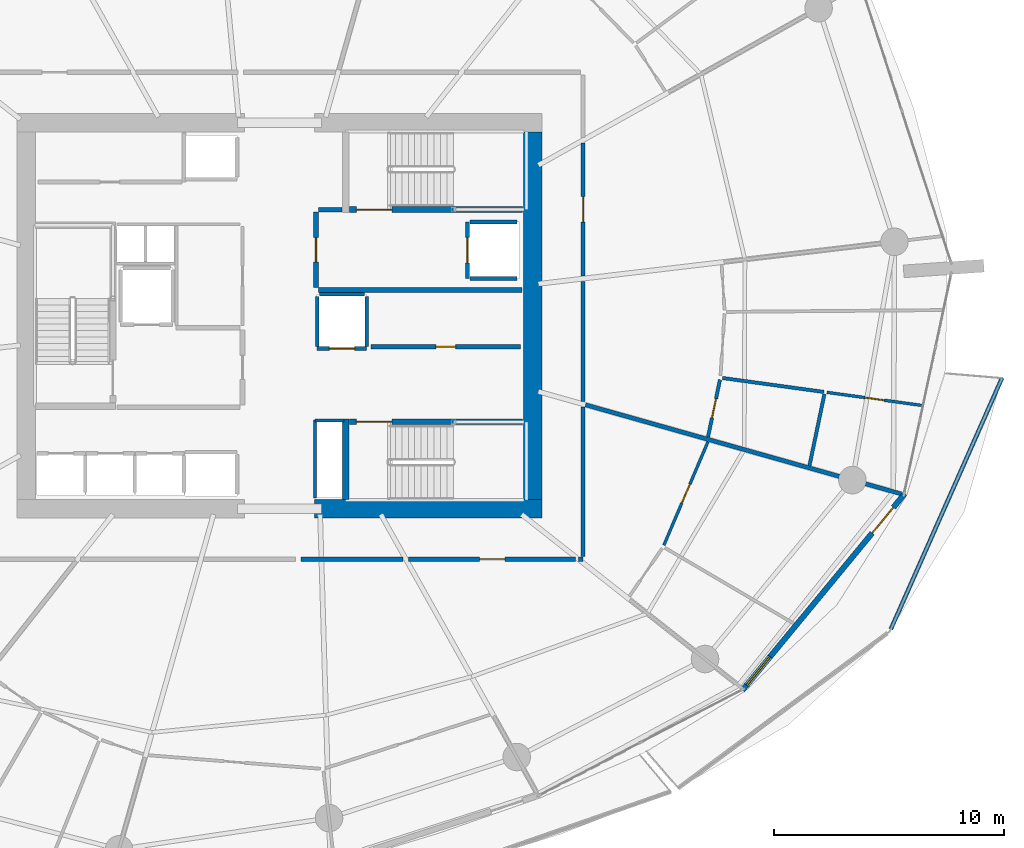
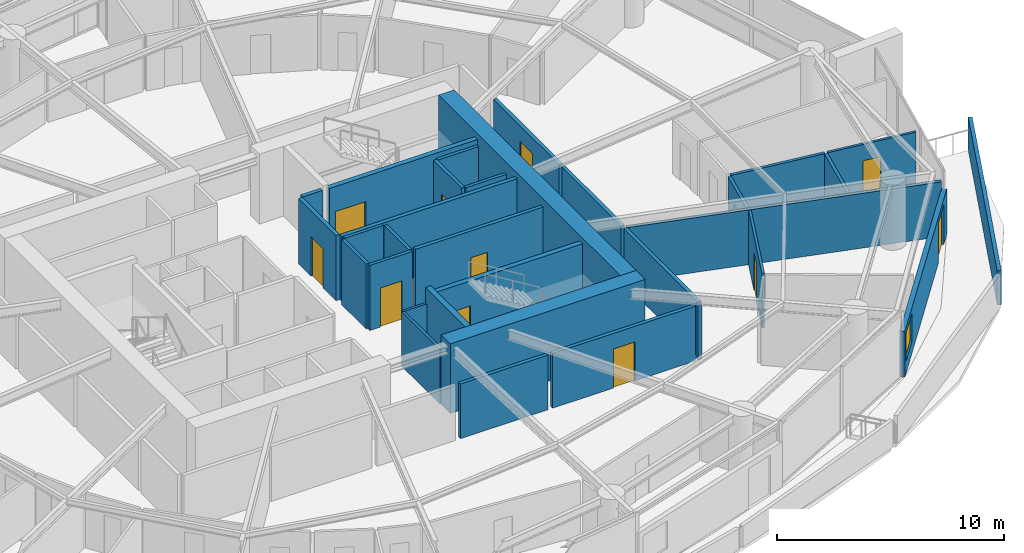
# One storey, part 13 of 22: 32 walls, 12 doors, 1 window, 13 openings.
"""IFC4 building model written with IfcOpenShell, lengths in metres."""

from ifc_helpers import new_model, si_unit, direction, frame, frame_2d, origin, place, context, subcontext, project, spatial, polyline, rectangle, outline, extrude, material, layer, layer_set, type_object, element, fill, save


model = new_model("IFC4")

# Units and contexts
model_context = context("Model", 3, precision=1e-05, world=origin(), true_north=direction((0.0, 1.0)))
body_context = subcontext(model_context, "Body", "Model", "MODEL_VIEW")
ifc_project = project(units=[si_unit("LENGTHUNIT", "METRE"), si_unit("AREAUNIT", "SQUARE_METRE"), si_unit("VOLUMEUNIT", "CUBIC_METRE"), si_unit("PLANEANGLEUNIT", "RADIAN"), si_unit("MASSUNIT", "GRAM", prefix="KILO")], contexts=[model_context])

# Site, building, storey
site_placement = place(None, origin())
site = spatial("IfcSite", under=ifc_project, at=site_placement, CompositionType="ELEMENT")
building_placement = place(site_placement, origin())
building = spatial("IfcBuilding", under=site, at=building_placement, Name="Kazma Halo Residences", CompositionType="ELEMENT")
storey_placement = place(building_placement, frame((0.0, 0.0, 90.14990234375)))
storey = spatial("IfcBuildingStorey", under=building, at=storey_placement, Name="L22", CompositionType="ELEMENT", Elevation=90.14990234375)

# Walls
ifc_material_1 = material(Name="White Concrete C50/60 Balustrade", Category="concrete")
ifc_layer_1 = layer(ifc_material_1, 0.179931640625)
ifc_layer_set_1 = layer_set([ifc_layer_1], Name="White Concrete C50/60 Balustrade")
wall_type_1 = type_object("IfcWallType", Name="WL-BAL-WAVE-180", PredefinedType="PARAPET", material=ifc_layer_set_1)
wall_1_placement = place(storey_placement, frame((75.048828125, 28.352294921875, 0.0), z_axis=(0.0, 0.0, 1.0), x_axis=(0.404780674035, 0.914413804537, 0.0)))
element("IfcWall", 1, at=wall_1_placement, inside=storey, type_object=wall_type_1, Name="L22 white wave balustrade wall SE.2", PredefinedType="PARAPET", context=body_context, shape_type="SweptSolid", body=[
    extrude(outline(polyline([(0.0, 0.0), (11.9658203125, 0.0), (11.9658203125, 1.756103515625), (5.98291015625, 1.85302734375), (0.0, 1.83203125), (0.0, 0.0)])), frame((0.0, 0.08984375, 0.0), z_axis=(0.0, -1.0, 0.0), x_axis=(1.0, 0.0, 0.0)), (0.0, 0.0, 1.0), 0.179931640625),
])
ifc_material_2 = material(Name="Concrete C80/95", Category="concrete")
ifc_layer_2 = layer(ifc_material_2, 0.800048828125)
ifc_layer_set_2 = layer_set([ifc_layer_2], Name="Concrete C80/95")
wall_type_2 = type_object("IfcWallType", Name="WL-CORE-800", PredefinedType="SHEAR", material=ifc_layer_set_2)
wall_2_placement = place(storey_placement, frame((49.949951171875, 33.60009765625, 0.0), z_axis=(0.0, 0.0, 1.0), x_axis=(1.0, 0.0, 0.0)))
element("IfcWall", 2, at=wall_2_placement, inside=storey, type_object=wall_type_2, Name="L22 central core shear wall SE", PredefinedType="SHEAR", context=body_context, shape_type="SweptSolid", body=[
    extrude(rectangle(XDim=9.900146484375, YDim=0.800048828125, at=frame_2d((4.9501953125, 0.0))), origin(), (0.0, 0.0, 1.0), 3.75),
])
wall_3_placement = place(storey_placement, frame((59.449951171875, 34.0, 0.0), z_axis=(0.0, 0.0, 1.0), x_axis=(0.0, 1.0, 0.0)))
element("IfcWall", 3, at=wall_3_placement, inside=storey, type_object=wall_type_2, Name="L22 central core shear wall E", PredefinedType="SHEAR", context=body_context, shape_type="SweptSolid", body=[
    extrude(rectangle(XDim=16.0, YDim=0.800048828125, at=frame_2d((8.0, 0.0))), origin(), (0.0, 0.0, 1.0), 3.75),
])
ifc_material_3 = material(Name="Concrete C60/75", Category="concrete")
ifc_layer_3 = layer(ifc_material_3, 0.280029296875)
ifc_layer_set_3 = layer_set([ifc_layer_3], Name="Concrete C60/75")
wall_type_3 = type_object("IfcWallType", Name="WL-CORE-ST-280", PredefinedType="SHEAR", material=ifc_layer_set_3)
wall_4_placement = place(storey_placement, frame((51.31005859375, 34.0, 0.0), z_axis=(0.0, 0.0, 1.0), x_axis=(0.0, 1.0, 0.0)))
element("IfcWall", 4, at=wall_4_placement, inside=storey, type_object=wall_type_3, Name="L22 stairwell bearing wall ST03-W", PredefinedType="SHEAR", context=body_context, shape_type="SweptSolid", body=[
    extrude(rectangle(XDim=3.5, YDim=0.280029296875, at=frame_2d((1.75, 0.0))), origin(), (0.0, 0.0, 1.0), 3.75),
])
ifc_material_4 = material(Name="Acoustic Twin-Stud Gypsum")
ifc_layer_4 = layer(ifc_material_4, 0.179931640625)
ifc_layer_set_4 = layer_set([ifc_layer_4], Name="Acoustic Twin-Stud Gypsum")
wall_type_4 = type_object("IfcWallType", Name="WL-DEM-180", PredefinedType="PARTITIONING", material=ifc_layer_set_4)
wall_5_placement = place(storey_placement, frame((61.755859375, 38.120361328125, 0.0), z_axis=(0.0, 0.0, 1.0), x_axis=(0.962455861176, -0.271438234756, 0.0)))
element("IfcWall", 5, at=wall_5_placement, inside=storey, type_object=wall_type_4, Name="L22 apartment demising radial wall 14", PredefinedType="PARTITIONING", context=body_context, shape_type="SweptSolid", body=[
    extrude(rectangle(XDim=14.278564453125, YDim=0.179931640625, at=frame_2d((7.13916015625, 0.0))), origin(), (0.0, 0.0, 1.0), 2.940185546875),
])

# Wall, opening, door
wall_6_placement = place(storey_placement, frame((54.056396484375, 31.39990234375, 0.0), z_axis=(0.0, 0.0, 1.0), x_axis=(1.0, 0.0, 0.0)))
wall_6 = element("IfcWall", 6, at=wall_6_placement, inside=storey, type_object=wall_type_4, Name="L22 Apartment 2 entrance corridor wall", PredefinedType="PARTITIONING", context=body_context, shape_type="SweptSolid", body=[
    extrude(rectangle(XDim=7.26953125, YDim=0.179931640625, at=frame_2d((3.634765625, 0.0))), origin(), (0.0, 0.0, 1.0), 2.940185546875),
])
opening_1_placement = place(wall_6_placement, frame((3.0849609375, 0.0, 0.0)))
opening_1 = element("IfcOpeningElement", 7, at=opening_1_placement, cuts=wall_6, Name="Opening DA-1100", PredefinedType="OPENING", context=body_context, shape_type="SweptSolid", body=[
    extrude(rectangle(XDim=1.10009765625, YDim=2.10009765625, at=frame_2d((0.550048828125, 1.050048828125))), frame((0.0, 0.099853515625, 0.0), z_axis=(0.0, -1.0, 0.0), x_axis=(1.0, 0.0, 0.0)), (0.0, 0.0, 1.0), 0.199951171875),
])
ifc_material_5 = material(Name="Acoustic Walnut Fire Leaf")
door_type_1 = type_object("IfcDoorType", Name="DR-FD60-1100", OperationType="NOTDEFINED", PredefinedType="DOOR", material=ifc_material_5)
door_1_placement = place(opening_1_placement, origin())
door_1 = element("IfcDoor", 8, at=door_1_placement, inside=storey, type_object=door_type_1, Name="L22 Apartment 2 entrance fire door", OperationType="SINGLE_SWING_LEFT", OverallHeight=2.10009765625, OverallWidth=1.10009765625, PredefinedType="DOOR", context=body_context, shape_type="SweptSolid", body=[
    extrude(rectangle(XDim=1.10009765625, YDim=2.10009765625, at=frame_2d((0.550048828125, 1.050048828125))), frame((0.0, 0.02490234375, 0.0), z_axis=(0.0, -1.0, 0.0), x_axis=(1.0, 0.0, 0.0)), (0.0, 0.0, 1.0), 0.050048828125),
])
fill(opening_1, door_1)

# Walls
wall_7_placement = place(storey_placement, frame((49.37451171875, 31.39990234375, 0.0), z_axis=(0.0, 0.0, 1.0), x_axis=(1.0, 0.0, 0.0)))
element("IfcWall", 9, at=wall_7_placement, inside=storey, type_object=wall_type_4, Name="L22 Apartment 2 inner wall 11", PredefinedType="PARTITIONING", context=body_context, shape_type="SweptSolid", body=[
    extrude(rectangle(XDim=4.44189453125, YDim=0.179931640625, at=frame_2d((2.220947265625, 0.0))), origin(), (0.0, 0.0, 1.0), 2.940185546875),
])
wall_8_placement = place(storey_placement, frame((61.446044921875, 31.39990234375, 0.0), z_axis=(0.0, 0.0, 1.0), x_axis=(1.0, 0.0, 0.0)))
element("IfcWall", 10, at=wall_8_placement, inside=storey, type_object=wall_type_4, Name="L22 Apartment 2 inner wall 13", PredefinedType="PARTITIONING", context=body_context, shape_type="SweptSolid", body=[
    extrude(rectangle(XDim=0.203857421875, YDim=0.179931640625, at=frame_2d((0.10205078125, 0.0))), origin(), (0.0, 0.0, 1.0), 2.940185546875),
])
wall_9_placement = place(storey_placement, frame((61.64990234375, 31.52001953125, 0.0), z_axis=(0.0, 0.0, 1.0), x_axis=(0.0, 1.0, 0.0)))
element("IfcWall", 11, at=wall_9_placement, inside=storey, type_object=wall_type_4, Name="L22 Apartment 2 inner wall 13", PredefinedType="PARTITIONING", context=body_context, shape_type="SweptSolid", body=[
    extrude(rectangle(XDim=6.51025390625, YDim=0.179931640625, at=frame_2d((3.255126953125, 0.0))), origin(), (0.0, 0.0, 1.0), 2.940185546875),
])

# Wall, opening, door
wall_10_placement = place(storey_placement, frame((61.64990234375, 43.735595703125, 0.0), z_axis=(0.0, 0.0, 1.0), x_axis=(0.0, 1.0, 0.0)))
wall_10 = element("IfcWall", 12, at=wall_10_placement, inside=storey, type_object=wall_type_4, Name="L22 Apartment 3 entrance corridor wall", PredefinedType="PARTITIONING", context=body_context, shape_type="SweptSolid", body=[
    extrude(rectangle(XDim=5.788818359375, YDim=0.179931640625, at=frame_2d((2.89453125, 0.0))), origin(), (0.0, 0.0, 1.0), 2.940185546875),
])
opening_2_placement = place(wall_10_placement, frame((2.344482421875, 0.0, 0.0)))
opening_2 = element("IfcOpeningElement", 13, at=opening_2_placement, cuts=wall_10, Name="Opening DA-1100", PredefinedType="OPENING", context=body_context, shape_type="SweptSolid", body=[
    extrude(rectangle(XDim=1.10009765625, YDim=2.10009765625, at=frame_2d((0.550048828125, 1.050048828125))), frame((0.0, 0.099853515625, 0.0), z_axis=(0.0, -1.0, 0.0), x_axis=(1.0, 0.0, 0.0)), (0.0, 0.0, 1.0), 0.199951171875),
])
door_2_placement = place(opening_2_placement, origin())
door_2 = element("IfcDoor", 14, at=door_2_placement, inside=storey, type_object=door_type_1, Name="L22 Apartment 3 entrance fire door", OperationType="SINGLE_SWING_RIGHT", OverallHeight=2.10009765625, OverallWidth=1.10009765625, PredefinedType="DOOR", context=body_context, shape_type="SweptSolid", body=[
    extrude(rectangle(XDim=1.10009765625, YDim=2.10009765625, at=frame_2d((0.550048828125, 1.050048828125))), frame((0.0, 0.02490234375, 0.0), z_axis=(0.0, -1.0, 0.0), x_axis=(1.0, 0.0, 0.0)), (0.0, 0.0, 1.0), 0.050048828125),
])
fill(opening_2, door_2)

# Wall
wall_11_placement = place(storey_placement, frame((61.64990234375, 38.270263671875, 0.0), z_axis=(0.0, 0.0, 1.0), x_axis=(0.0, 1.0, 0.0)))
element("IfcWall", 15, at=wall_11_placement, inside=storey, type_object=wall_type_4, Name="L22 Apartment 3 inner wall 14", PredefinedType="PARTITIONING", context=body_context, shape_type="SweptSolid", body=[
    extrude(rectangle(XDim=5.225341796875, YDim=0.179931640625, at=frame_2d((2.61279296875, 0.0))), origin(), (0.0, 0.0, 1.0), 2.940185546875),
])

# Wall, openings, door, window
ifc_material_6 = material(Name="Insulated Pale-Metal Composite Wall")
ifc_layer_5 = layer(ifc_material_6, 0.239990234375)
ifc_layer_set_5 = layer_set([ifc_layer_5], Name="Insulated Pale-Metal Composite Wall")
wall_type_5 = type_object("IfcWallType", Name="WL-EXT-HOST-240", PredefinedType="SOLIDWALL", material=ifc_layer_set_5)
wall_12_placement = place(storey_placement, frame((68.593017578125, 25.7021484375, 0.0), z_axis=(0.0, 0.0, 1.0), x_axis=(0.636704975, 0.771107498868, 0.0)))
wall_12 = element("IfcWall", 16, at=wall_12_placement, inside=storey, type_object=wall_type_5, Name="L22 exterior terrace-access wall B14", PredefinedType="SOLIDWALL", context=body_context, shape_type="SweptSolid", body=[
    extrude(rectangle(XDim=11.084228515625, YDim=0.239990234375, at=frame_2d((5.5419921875, 0.0))), origin(), (0.0, 0.0, 1.0), 2.4501953125),
])
opening_3_placement = place(wall_12_placement, frame((8.8642578125, 0.0, 0.0)))
opening_3 = element("IfcOpeningElement", 17, at=opening_3_placement, cuts=wall_12, Name="Opening DTR-1600", PredefinedType="OPENING", context=body_context, shape_type="SweptSolid", body=[
    extrude(rectangle(XDim=1.449951171875, YDim=2.14990234375, at=frame_2d((0.72509765625, 1.074951171875))), frame((0.0, 0.1298828125, 0.0), z_axis=(0.0, -1.0, 0.0), x_axis=(1.0, 0.0, 0.0)), (0.0, 0.0, 1.0), 0.260009765625),
])
opening_4_placement = place(wall_12_placement, frame((0.280029296875, 0.0, 0.64990234375)))
opening_4 = element("IfcOpeningElement", 18, at=opening_4_placement, cuts=wall_12, Name="Opening W-1800", PredefinedType="OPENING", context=body_context, shape_type="SweptSolid", body=[
    extrude(rectangle(XDim=1.60009765625, YDim=1.5, at=frame_2d((0.800048828125, 0.75))), frame((0.0, 0.1298828125, 0.0), z_axis=(0.0, -1.0, 0.0), x_axis=(1.0, 0.0, 0.0)), (0.0, 0.0, 1.0), 0.260009765625),
])
ifc_material_7 = material(Name="Aluminium AW-6063 T6 Double-Glazed Terrace Door", Category="aluminium")
door_type_2 = type_object("IfcDoorType", Name="DR-EXT-TERR-1600", OperationType="NOTDEFINED", PredefinedType="DOOR", material=ifc_material_7)
door_3_placement = place(opening_3_placement, origin())
door_3 = element("IfcDoor", 19, at=door_3_placement, inside=storey, type_object=door_type_2, Name="L22 B14 balcony terrace door", OperationType="DOUBLE_DOOR_SLIDING", OverallHeight=2.14990234375, OverallWidth=1.449951171875, PredefinedType="DOOR", context=body_context, shape_type="SweptSolid", body=[
    extrude(rectangle(XDim=1.449951171875, YDim=2.14990234375, at=frame_2d((0.72509765625, 1.074951171875))), frame((0.0, 0.02490234375, 0.0), z_axis=(0.0, -1.0, 0.0), x_axis=(1.0, 0.0, 0.0)), (0.0, 0.0, 1.0), 0.050048828125),
])
fill(opening_3, door_3)
ifc_material_8 = material(Name="Clear Triple-Silver Low-E Glass in Aluminium AW-6063 T6 Frame", Category="aluminium")
window_type = type_object("IfcWindowType", Name="WIN-RES-1800", PartitioningType="DOUBLE_PANEL_VERTICAL", PredefinedType="WINDOW", material=ifc_material_8)
window_placement = place(opening_4_placement, origin())
window = element("IfcWindow", 20, at=window_placement, inside=storey, type_object=window_type, Name="L22 B14 apartment window", OverallHeight=1.5, OverallWidth=1.60009765625, PartitioningType="SINGLE_PANEL", PredefinedType="WINDOW", context=body_context, shape_type="SweptSolid", body=[
    extrude(rectangle(XDim=1.60009765625, YDim=1.5, at=frame_2d((0.800048828125, 0.75))), frame((0.0, 0.030029296875, 0.0), z_axis=(0.0, -1.0, 0.0), x_axis=(1.0, 0.0, 0.0)), (0.0, 0.0, 1.0), 0.06005859375),
])
fill(opening_4, window)

# Wall, opening, door
ifc_material_9 = material(Name="Fire-Rated Blockwork Masonry", Category="masonry")
ifc_layer_6 = layer(ifc_material_9, 0.199951171875)
ifc_layer_set_6 = layer_set([ifc_layer_6], Name="Fire-Rated Blockwork Masonry")
wall_type_6 = type_object("IfcWallType", Name="WL-FLB-200", PredefinedType="PARTITIONING", material=ifc_layer_set_6)
wall_13_placement = place(storey_placement, frame((56.6201171875, 46.080078125, 0.0), z_axis=(0.0, 0.0, 1.0), x_axis=(0.0, -1.0, 0.0)))
wall_13 = element("IfcWall", 21, at=wall_13_placement, inside=storey, type_object=wall_type_6, Name="L22 lift shaft FL-02 front wall", PredefinedType="PARTITIONING", context=body_context, shape_type="SweptSolid", body=[
    extrude(rectangle(XDim=2.4599609375, YDim=0.159912109375, at=frame_2d((1.22998046875, 0.0))), origin(), (0.0, 0.0, 1.0), 3.5),
])
opening_5_placement = place(wall_13_placement, frame((0.679931640625, 0.0, 0.0)))
opening_5 = element("IfcOpeningElement", 22, at=opening_5_placement, cuts=wall_13, Name="Opening LD-FL-02", PredefinedType="OPENING", context=body_context, shape_type="SweptSolid", body=[
    extrude(rectangle(XDim=1.10009765625, YDim=2.10009765625, at=frame_2d((0.550048828125, 1.050048828125))), frame((0.0, 0.08984375, 0.0), z_axis=(0.0, -1.0, 0.0), x_axis=(1.0, 0.0, 0.0)), (0.0, 0.0, 1.0), 0.179931640625),
])
ifc_material_10 = material(Name="Stainless Steel Fire-Rated", Category="steel")
door_type_3 = type_object("IfcDoorType", Name="DR-LIFT-SLD-1100", OperationType="DOUBLE_DOOR_SLIDING", PredefinedType="DOOR", material=ifc_material_10)
door_4_placement = place(opening_5_placement, origin())
door_4 = element("IfcDoor", 23, at=door_4_placement, inside=storey, type_object=door_type_3, Name="L22 lift FL-02 sliding landing door", OperationType="DOUBLE_DOOR_SLIDING", OverallHeight=2.10009765625, OverallWidth=1.10009765625, PredefinedType="DOOR", context=body_context, shape_type="SweptSolid", body=[
    extrude(rectangle(XDim=1.10009765625, YDim=2.10009765625, at=frame_2d((0.550048828125, 1.050048828125))), frame((0.0, 0.02490234375, 0.0), z_axis=(0.0, -1.0, 0.0), x_axis=(1.0, 0.0, 0.0)), (0.0, 0.0, 1.0), 0.050048828125),
])
fill(opening_5, door_4)

# Walls
for number, where, z_axis, x_axis, name in (
    (24, (56.719970703125, 46.080078125, 0.0), (0.0, 0.0, 1.0), (1.0, 0.0, 0.0), "L22 lift shaft FL-02 side wall N"),
    (25, (56.719970703125, 43.6201171875, 0.0), (0.0, 0.0, 1.0), (1.0, 0.0, 0.0), "L22 lift shaft FL-02 side wall S"),
):
    element("IfcWall", number, at=place(storey_placement, frame(where, z_axis=z_axis, x_axis=x_axis)), inside=storey, type_object=wall_type_6, Name=name, PredefinedType="PARTITIONING", context=body_context, shape_type="SweptSolid", body=[
        extrude(rectangle(XDim=2.06005859375, YDim=0.159912109375, at=frame_2d((1.030029296875, 0.0))), origin(), (0.0, 0.0, 1.0), 3.5),
    ])

# Wall, opening, door
wall_14_placement = place(storey_placement, frame((52.22998046875, 40.570068359375, 0.0), z_axis=(0.0, 0.0, 1.0), x_axis=(-1.0, 0.0, 0.0)))
wall_14 = element("IfcWall", 26, at=wall_14_placement, inside=storey, type_object=wall_type_6, Name="L22 lift shaft SV-01 front wall", PredefinedType="PARTITIONING", context=body_context, shape_type="SweptSolid", body=[
    extrude(rectangle(XDim=2.159912109375, YDim=0.159912109375, at=frame_2d((1.080078125, 0.0))), origin(), (0.0, 0.0, 1.0), 3.5),
])
opening_6_placement = place(wall_14_placement, frame((0.530029296875, 0.0, 0.0)))
opening_6 = element("IfcOpeningElement", 27, at=opening_6_placement, cuts=wall_14, Name="Opening LD-SV-01", PredefinedType="OPENING", context=body_context, shape_type="SweptSolid", body=[
    extrude(rectangle(XDim=1.10009765625, YDim=2.10009765625, at=frame_2d((0.550048828125, 1.050048828125))), frame((0.0, 0.08984375, 0.0), z_axis=(0.0, -1.0, 0.0), x_axis=(1.0, 0.0, 0.0)), (0.0, 0.0, 1.0), 0.179931640625),
])
door_5_placement = place(opening_6_placement, origin())
door_5 = element("IfcDoor", 28, at=door_5_placement, inside=storey, type_object=door_type_3, Name="L22 lift SV-01 sliding landing door", OperationType="DOUBLE_DOOR_SLIDING", OverallHeight=2.10009765625, OverallWidth=1.10009765625, PredefinedType="DOOR", context=body_context, shape_type="SweptSolid", body=[
    extrude(rectangle(XDim=1.10009765625, YDim=2.10009765625, at=frame_2d((0.550048828125, 1.050048828125))), frame((0.0, 0.02490234375, 0.0), z_axis=(0.0, -1.0, 0.0), x_axis=(1.0, 0.0, 0.0)), (0.0, 0.0, 1.0), 0.050048828125),
])
fill(opening_6, door_5)

# Walls
for number, where, z_axis, x_axis, name in (
    (29, (52.22998046875, 40.669921875, 0.0), (0.0, 0.0, 1.0), (0.0, 1.0, 0.0), "L22 lift shaft SV-01 side wall E"),
    (30, (50.070068359375, 40.669921875, 0.0), (0.0, 0.0, 1.0), (0.0, 1.0, 0.0), "L22 lift shaft SV-01 side wall W"),
):
    element("IfcWall", number, at=place(storey_placement, frame(where, z_axis=z_axis, x_axis=x_axis)), inside=storey, type_object=wall_type_6, Name=name, PredefinedType="PARTITIONING", context=body_context, shape_type="SweptSolid", body=[
        extrude(rectangle(XDim=2.16015625, YDim=0.159912109375, at=frame_2d((1.080078125, 0.0))), origin(), (0.0, 0.0, 1.0), 3.5),
    ])
wall_15_placement = place(storey_placement, frame((50.169921875, 42.929931640625, 0.0), z_axis=(0.0, 0.0, 1.0), x_axis=(1.0, 0.0, 0.0)))
element("IfcWall", 31, at=wall_15_placement, inside=storey, type_object=wall_type_6, Name="L22 lift shaft SV-01 side wall N", PredefinedType="PARTITIONING", context=body_context, shape_type="SweptSolid", body=[
    extrude(rectangle(XDim=1.9599609375, YDim=0.159912109375, at=frame_2d((0.97998046875, 0.0))), origin(), (0.0, 0.0, 1.0), 3.5),
])

# Wall, opening, door
wall_16_placement = place(storey_placement, frame((52.419921875, 40.64990234375, 0.0), z_axis=(0.0, 0.0, 1.0), x_axis=(1.0, 0.0, 0.0)))
wall_16 = element("IfcWall", 32, at=wall_16_placement, inside=storey, type_object=wall_type_6, Name="L22 core east reserve wall", PredefinedType="PARTITIONING", context=body_context, shape_type="SweptSolid", body=[
    extrude(rectangle(XDim=6.5, YDim=0.179931640625, at=frame_2d((3.25, 0.0))), origin(), (0.0, 0.0, 1.0), 3.5),
])
opening_7_placement = place(wall_16_placement, frame((2.824951171875, 0.0, 0.0)))
opening_7 = element("IfcOpeningElement", 33, at=opening_7_placement, cuts=wall_16, Name="Opening DS-850", PredefinedType="OPENING", context=body_context, shape_type="SweptSolid", body=[
    extrude(rectangle(XDim=0.85009765625, YDim=2.06005859375, at=frame_2d((0.425048828125, 1.030029296875))), frame((0.0, 0.099853515625, 0.0), z_axis=(0.0, -1.0, 0.0), x_axis=(1.0, 0.0, 0.0)), (0.0, 0.0, 1.0), 0.199951171875),
])
ifc_material_11 = material(Name="Painted Steel Access Leaf", Category="steel")
door_type_4 = type_object("IfcDoorType", Name="DR-SVC-850", OperationType="NOTDEFINED", PredefinedType="DOOR", material=ifc_material_11)
door_6_placement = place(opening_7_placement, origin())
door_6 = element("IfcDoor", 34, at=door_6_placement, inside=storey, type_object=door_type_4, Name="L22 core east reserve door", OperationType="SINGLE_SWING_LEFT", OverallHeight=2.06005859375, OverallWidth=0.85009765625, PredefinedType="DOOR", context=body_context, shape_type="SweptSolid", body=[
    extrude(rectangle(XDim=0.85009765625, YDim=2.06005859375, at=frame_2d((0.425048828125, 1.030029296875))), frame((0.0, 0.02490234375, 0.0), z_axis=(0.0, -1.0, 0.0), x_axis=(1.0, 0.0, 0.0)), (0.0, 0.0, 1.0), 0.050048828125),
])
fill(opening_7, door_6)

# Walls
wall_17_placement = place(storey_placement, frame((50.1201171875, 43.1201171875, 0.0), z_axis=(0.0, 0.0, 1.0), x_axis=(1.0, 0.0, 0.0)))
element("IfcWall", 35, at=wall_17_placement, inside=storey, type_object=wall_type_6, Name="L22 east firefighting lobby south smoke wall", PredefinedType="PARTITIONING", context=body_context, shape_type="SweptSolid", body=[
    extrude(rectangle(XDim=8.8798828125, YDim=0.199951171875, at=frame_2d((4.43994140625, 0.0))), origin(), (0.0, 0.0, 1.0), 3.5),
])
wall_18_placement = place(storey_placement, frame((50.139892578125, 46.6201171875, 0.0), z_axis=(0.0, 0.0, 1.0), x_axis=(1.0, 0.0, 0.0)))
element("IfcWall", 36, at=wall_18_placement, inside=storey, type_object=wall_type_6, Name="L22 east firefighting lobby north closure wall", PredefinedType="PARTITIONING", context=body_context, shape_type="SweptSolid", body=[
    extrude(rectangle(XDim=1.02001953125, YDim=0.199951171875, at=frame_2d((0.510009765625, 0.0))), origin(), (0.0, 0.0, 1.0), 3.5),
])

# Wall, opening, door
wall_19_placement = place(storey_placement, frame((50.02001953125, 43.219970703125, 0.0), z_axis=(0.0, 0.0, 1.0), x_axis=(0.0, 1.0, 0.0)))
wall_19 = element("IfcWall", 37, at=wall_19_placement, inside=storey, type_object=wall_type_6, Name="L22 east firefighting lobby smoke wall", PredefinedType="PARTITIONING", context=body_context, shape_type="SweptSolid", body=[
    extrude(rectangle(XDim=3.300048828125, YDim=0.199951171875, at=frame_2d((1.64990234375, 0.0))), origin(), (0.0, 0.0, 1.0), 3.5),
])
opening_8_placement = place(wall_19_placement, frame((1.125, 0.0, 0.0)))
opening_8 = element("IfcOpeningElement", 38, at=opening_8_placement, cuts=wall_19, Name="Opening D-FLE", PredefinedType="OPENING", context=body_context, shape_type="SweptSolid", body=[
    extrude(rectangle(XDim=1.050048828125, YDim=2.10009765625, at=frame_2d((0.52490234375, 1.050048828125))), frame((0.0, 0.10986328125, 0.0), z_axis=(0.0, -1.0, 0.0), x_axis=(1.0, 0.0, 0.0)), (0.0, 0.0, 1.0), 0.219970703125),
])
ifc_material_12 = material(Name="Fire-Rated Steel Leaf", Category="steel")
door_type_5 = type_object("IfcDoorType", Name="DR-FD90-1050", OperationType="NOTDEFINED", PredefinedType="DOOR", material=ifc_material_12)
door_7_placement = place(opening_8_placement, origin())
door_7 = element("IfcDoor", 39, at=door_7_placement, inside=storey, type_object=door_type_5, Name="L22 east firefighting lobby smoke door", OperationType="SINGLE_SWING_RIGHT", OverallHeight=2.10009765625, OverallWidth=1.050048828125, PredefinedType="DOOR", context=body_context, shape_type="SweptSolid", body=[
    extrude(rectangle(XDim=1.050048828125, YDim=2.10009765625, at=frame_2d((0.52490234375, 1.050048828125))), frame((0.0, 0.02490234375, 0.0), z_axis=(0.0, -1.0, 0.0), x_axis=(1.0, 0.0, 0.0)), (0.0, 0.0, 1.0), 0.050048828125),
])
fill(opening_8, door_7)

# Walls
ifc_material_13 = material(Name="Gypsum Plasterboard Partition")
ifc_layer_7 = layer(ifc_material_13, 0.125)
ifc_layer_set_7 = layer_set([ifc_layer_7], Name="Gypsum Plasterboard Partition")
wall_type_7 = type_object("IfcWallType", Name="WL-PART-125", PredefinedType="PARTITIONING", material=ifc_layer_set_7)
wall_20_placement = place(storey_placement, frame((49.97998046875, 34.06005859375, 0.0), z_axis=(0.0, 0.0, 1.0), x_axis=(0.0, 1.0, 0.0)))
element("IfcWall", 40, at=wall_20_placement, inside=storey, type_object=wall_type_7, Name="L22 standpipe riser wall", PredefinedType="PARTITIONING", context=body_context, shape_type="SweptSolid", body=[
    extrude(rectangle(XDim=3.39990234375, YDim=0.125, at=frame_2d((1.699951171875, 0.0))), origin(), (0.0, 0.0, 1.0), 2.940185546875),
])
wall_21_placement = place(storey_placement, frame((49.97998046875, 37.43994140625, 0.0), z_axis=(0.0, 0.0, 1.0), x_axis=(1.0, 0.0, 0.0)))
element("IfcWall", 41, at=wall_21_placement, inside=storey, type_object=wall_type_7, Name="L22 standpipe riser north wall", PredefinedType="PARTITIONING", context=body_context, shape_type="SweptSolid", body=[
    extrude(rectangle(XDim=1.260009765625, YDim=0.125, at=frame_2d((0.6298828125, 0.0))), origin(), (0.0, 0.0, 1.0), 2.940185546875),
])

# Wall, opening, door
wall_22_placement = place(storey_placement, frame((65.167724609375, 32.01171875, 0.0), z_axis=(0.0, 0.0, 1.0), x_axis=(0.392094288326, 0.91992503448, 0.0)))
wall_22 = element("IfcWall", 42, at=wall_22_placement, inside=storey, type_object=wall_type_7, Name="L22 Apartment 2 South Formal Dining Room hall wall", PredefinedType="PARTITIONING", context=body_context, shape_type="SweptSolid", body=[
    extrude(rectangle(XDim=4.89404296875, YDim=0.125, at=frame_2d((2.447021484375, 0.0))), origin(), (0.0, 0.0, 1.0), 2.940185546875),
])
opening_9_placement = place(wall_22_placement, frame((1.9970703125, 0.0, 0.0)))
opening_9 = element("IfcOpeningElement", 43, at=opening_9_placement, cuts=wall_22, Name="Opening DI-950", PredefinedType="OPENING", context=body_context, shape_type="SweptSolid", body=[
    extrude(rectangle(XDim=0.89990234375, YDim=2.080078125, at=frame_2d((0.449951171875, 1.0400390625))), frame((0.0, 0.072509765625, 0.0), z_axis=(0.0, -1.0, 0.0), x_axis=(1.0, 0.0, 0.0)), (0.0, 0.0, 1.0), 0.14501953125),
])
ifc_material_14 = material(Name="Timber Veneer Flush Leaf", Category="wood")
door_type_6 = type_object("IfcDoorType", Name="DR-INT-950", OperationType="NOTDEFINED", PredefinedType="DOOR", material=ifc_material_14)
door_8_placement = place(opening_9_placement, origin())
door_8 = element("IfcDoor", 44, at=door_8_placement, inside=storey, type_object=door_type_6, Name="L22 Apartment 2 South Formal Dining Room door", OperationType="SINGLE_SWING_LEFT", OverallHeight=2.080078125, OverallWidth=0.89990234375, PredefinedType="DOOR", context=body_context, shape_type="SweptSolid", body=[
    extrude(rectangle(XDim=0.89990234375, YDim=2.080078125, at=frame_2d((0.449951171875, 1.0400390625))), frame((0.0, 0.02490234375, 0.0), z_axis=(0.0, -1.0, 0.0), x_axis=(1.0, 0.0, 0.0)), (0.0, 0.0, 1.0), 0.050048828125),
])
fill(opening_9, door_8)

wall_23_placement = place(storey_placement, frame((72.263671875, 38.663330078125, 0.0), z_axis=(0.0, 0.0, 1.0), x_axis=(0.990677467282, -0.136228322381, 0.0)))
wall_23 = element("IfcWall", 45, at=wall_23_placement, inside=storey, type_object=wall_type_7, Name="L22 Apartment 3 Household Store Room partition wall", PredefinedType="PARTITIONING", context=body_context, shape_type="SweptSolid", body=[
    extrude(rectangle(XDim=4.20068359375, YDim=0.125, at=frame_2d((2.100341796875, 0.0))), origin(), (0.0, 0.0, 1.0), 2.940185546875),
])
opening_10_placement = place(wall_23_placement, frame((1.67529296875, 0.0, 0.0)))
opening_10 = element("IfcOpeningElement", 46, at=opening_10_placement, cuts=wall_23, Name="Opening DB-900", PredefinedType="OPENING", context=body_context, shape_type="SweptSolid", body=[
    extrude(rectangle(XDim=0.85009765625, YDim=2.06005859375, at=frame_2d((0.425048828125, 1.030029296875))), frame((0.0, 0.072509765625, 0.0), z_axis=(0.0, -1.0, 0.0), x_axis=(1.0, 0.0, 0.0)), (0.0, 0.0, 1.0), 0.14501953125),
])
ifc_material_15 = material(Name="Moisture-Sealed Timber Leaf", Category="wood")
door_type_7 = type_object("IfcDoorType", Name="DR-BTH-900", OperationType="NOTDEFINED", PredefinedType="DOOR", material=ifc_material_15)
door_9_placement = place(opening_10_placement, origin())
door_9 = element("IfcDoor", 47, at=door_9_placement, inside=storey, type_object=door_type_7, Name="L22 Apartment 3 Household Store Room door", OperationType="SINGLE_SWING_RIGHT", OverallHeight=2.06005859375, OverallWidth=0.85009765625, PredefinedType="DOOR", context=body_context, shape_type="SweptSolid", body=[
    extrude(rectangle(XDim=0.85009765625, YDim=2.06005859375, at=frame_2d((0.425048828125, 1.030029296875))), frame((0.0, 0.02490234375, 0.0), z_axis=(0.0, -1.0, 0.0), x_axis=(1.0, 0.0, 0.0)), (0.0, 0.0, 1.0), 0.050048828125),
])
fill(opening_10, door_9)

ifc_material_16 = material(Name="Concrete C50/60", Category="concrete")
ifc_layer_8 = layer(ifc_material_16, 0.25)
ifc_layer_set_8 = layer_set([ifc_layer_8], Name="Concrete C50/60")
wall_type_8 = type_object("IfcWallType", Name="WL-SHF-250", PredefinedType="SOLIDWALL", material=ifc_layer_set_8)
wall_24_placement = place(storey_placement, frame((51.47998046875, 46.6201171875, 0.0), z_axis=(0.0, 0.0, 1.0), x_axis=(1.0, 0.0, 0.0)))
wall_24 = element("IfcWall", 48, at=wall_24_placement, inside=storey, type_object=wall_type_8, Name="L22 exit stair ST-02 enclosure wall", PredefinedType="SOLIDWALL", context=body_context, shape_type="SweptSolid", body=[
    extrude(rectangle(XDim=7.5400390625, YDim=0.25, at=frame_2d((3.77001953125, 0.0))), origin(), (0.0, 0.0, 1.0), 3.5),
])
opening_11_placement = place(wall_24_placement, frame((0.300048828125, 0.0, 0.0)))
opening_11 = element("IfcOpeningElement", 49, at=opening_11_placement, cuts=wall_24, Name="Opening D-ST2", PredefinedType="OPENING", context=body_context, shape_type="SweptSolid", body=[
    extrude(rectangle(XDim=1.550048828125, YDim=2.14990234375, at=frame_2d((0.77490234375, 1.074951171875))), frame((0.0, 0.135009765625, 0.0), z_axis=(0.0, -1.0, 0.0), x_axis=(1.0, 0.0, 0.0)), (0.0, 0.0, 1.0), 0.27001953125),
])
ifc_material_17 = material(Name="Fire-Rated Double Steel Leaf", Category="steel")
door_type_8 = type_object("IfcDoorType", Name="DR-FD90-1550", OperationType="NOTDEFINED", PredefinedType="DOOR", material=ifc_material_17)
door_10_placement = place(opening_11_placement, origin())
door_10 = element("IfcDoor", 50, at=door_10_placement, inside=storey, type_object=door_type_8, Name="L22 exit stair ST-02 fire door", OperationType="DOUBLE_DOOR_SINGLE_SWING", OverallHeight=2.14990234375, OverallWidth=1.550048828125, PredefinedType="DOOR", context=body_context, shape_type="SweptSolid", body=[
    extrude(rectangle(XDim=1.550048828125, YDim=2.14990234375, at=frame_2d((0.77490234375, 1.074951171875))), frame((0.0, 0.02490234375, 0.0), z_axis=(0.0, -1.0, 0.0), x_axis=(1.0, 0.0, 0.0)), (0.0, 0.0, 1.0), 0.050048828125),
])
fill(opening_11, door_10)

wall_25_placement = place(storey_placement, frame((51.47998046875, 37.3798828125, 0.0), z_axis=(0.0, 0.0, 1.0), x_axis=(1.0, 0.0, 0.0)))
wall_25 = element("IfcWall", 51, at=wall_25_placement, inside=storey, type_object=wall_type_8, Name="L22 exit stair ST-03 enclosure wall", PredefinedType="SOLIDWALL", context=body_context, shape_type="SweptSolid", body=[
    extrude(rectangle(XDim=7.5400390625, YDim=0.25, at=frame_2d((3.77001953125, 0.0))), origin(), (0.0, 0.0, 1.0), 3.5),
])
opening_12_placement = place(wall_25_placement, frame((0.300048828125, 0.0, 0.0)))
opening_12 = element("IfcOpeningElement", 52, at=opening_12_placement, cuts=wall_25, Name="Opening D-ST3", PredefinedType="OPENING", context=body_context, shape_type="SweptSolid", body=[
    extrude(rectangle(XDim=1.550048828125, YDim=2.14990234375, at=frame_2d((0.77490234375, 1.074951171875))), frame((0.0, 0.135009765625, 0.0), z_axis=(0.0, -1.0, 0.0), x_axis=(1.0, 0.0, 0.0)), (0.0, 0.0, 1.0), 0.27001953125),
])
door_11_placement = place(opening_12_placement, origin())
door_11 = element("IfcDoor", 53, at=door_11_placement, inside=storey, type_object=door_type_8, Name="L22 exit stair ST-03 fire door", OperationType="DOUBLE_DOOR_SINGLE_SWING", OverallHeight=2.14990234375, OverallWidth=1.550048828125, PredefinedType="DOOR", context=body_context, shape_type="SweptSolid", body=[
    extrude(rectangle(XDim=1.550048828125, YDim=2.14990234375, at=frame_2d((0.77490234375, 1.074951171875))), frame((0.0, 0.02490234375, 0.0), z_axis=(0.0, -1.0, 0.0), x_axis=(1.0, 0.0, 0.0)), (0.0, 0.0, 1.0), 0.050048828125),
])
fill(opening_12, door_11)

ifc_material_18 = material(Name="Moisture-Resistant Gypsum")
ifc_layer_9 = layer(ifc_material_18, 0.14990234375)
ifc_layer_set_9 = layer_set([ifc_layer_9], Name="Moisture-Resistant Gypsum")
wall_type_9 = type_object("IfcWallType", Name="WL-WET-150", PredefinedType="PARTITIONING", material=ifc_layer_set_9)
wall_26_placement = place(storey_placement, frame((67.088623046875, 36.72021484375, 0.0), z_axis=(0.0, 0.0, 1.0), x_axis=(0.204314138463, 0.978905374806, 0.0)))
wall_26 = element("IfcWall", 54, at=wall_26_placement, inside=storey, type_object=wall_type_9, Name="L22 Apartment 3 Guest Bathroom hall wall", PredefinedType="PARTITIONING", context=body_context, shape_type="SweptSolid", body=[
    extrude(rectangle(XDim=2.54638671875, YDim=0.14990234375, at=frame_2d((1.273193359375, 0.0))), origin(), (0.0, 0.0, 1.0), 2.940185546875),
])
opening_13_placement = place(wall_26_placement, frame((0.84814453125, 0.0, 0.0)))
opening_13 = element("IfcOpeningElement", 55, at=opening_13_placement, cuts=wall_26, Name="Opening DB-900", PredefinedType="OPENING", context=body_context, shape_type="SweptSolid", body=[
    extrude(rectangle(XDim=0.85009765625, YDim=2.06005859375, at=frame_2d((0.425048828125, 1.030029296875))), frame((0.0, 0.0849609375, 0.0), z_axis=(0.0, -1.0, 0.0), x_axis=(1.0, 0.0, 0.0)), (0.0, 0.0, 1.0), 0.169921875),
])
door_12_placement = place(opening_13_placement, origin())
door_12 = element("IfcDoor", 56, at=door_12_placement, inside=storey, type_object=door_type_7, Name="L22 Apartment 3 Guest Bathroom door", OperationType="SINGLE_SWING_LEFT", OverallHeight=2.06005859375, OverallWidth=0.85009765625, PredefinedType="DOOR", context=body_context, shape_type="SweptSolid", body=[
    extrude(rectangle(XDim=0.85009765625, YDim=2.06005859375, at=frame_2d((0.425048828125, 1.030029296875))), frame((0.0, 0.02490234375, 0.0), z_axis=(0.0, -1.0, 0.0), x_axis=(1.0, 0.0, 0.0)), (0.0, 0.0, 1.0), 0.050048828125),
])
fill(opening_13, door_12)

# Walls
wall_27_placement = place(storey_placement, frame((71.506103515625, 35.47412109375, 0.0), z_axis=(0.0, 0.0, 1.0), x_axis=(0.204346617078, 0.978898595407, 0.0)))
element("IfcWall", 57, at=wall_27_placement, inside=storey, type_object=wall_type_9, Name="L22 Apartment 3 Guest Bathroom back wall", PredefinedType="PARTITIONING", context=body_context, shape_type="SweptSolid", body=[
    extrude(rectangle(XDim=3.180419921875, YDim=0.14990234375, at=frame_2d((1.59033203125, 0.0))), origin(), (0.0, 0.0, 1.0), 2.940185546875),
])
wall_28_placement = place(storey_placement, frame((67.716552734375, 39.28857421875, 0.0), z_axis=(0.0, 0.0, 1.0), x_axis=(0.99067496126, -0.136246545396, 0.0)))
element("IfcWall", 58, at=wall_28_placement, inside=storey, type_object=wall_type_9, Name="L22 Apartment 3 Guest Bathroom side wall", PredefinedType="PARTITIONING", context=body_context, shape_type="SweptSolid", body=[
    extrude(rectangle(XDim=4.4599609375, YDim=0.14990234375, at=frame_2d((2.22998046875, 0.0))), origin(), (0.0, 0.0, 1.0), 2.940185546875),
])

save(model, "model.ifc")
